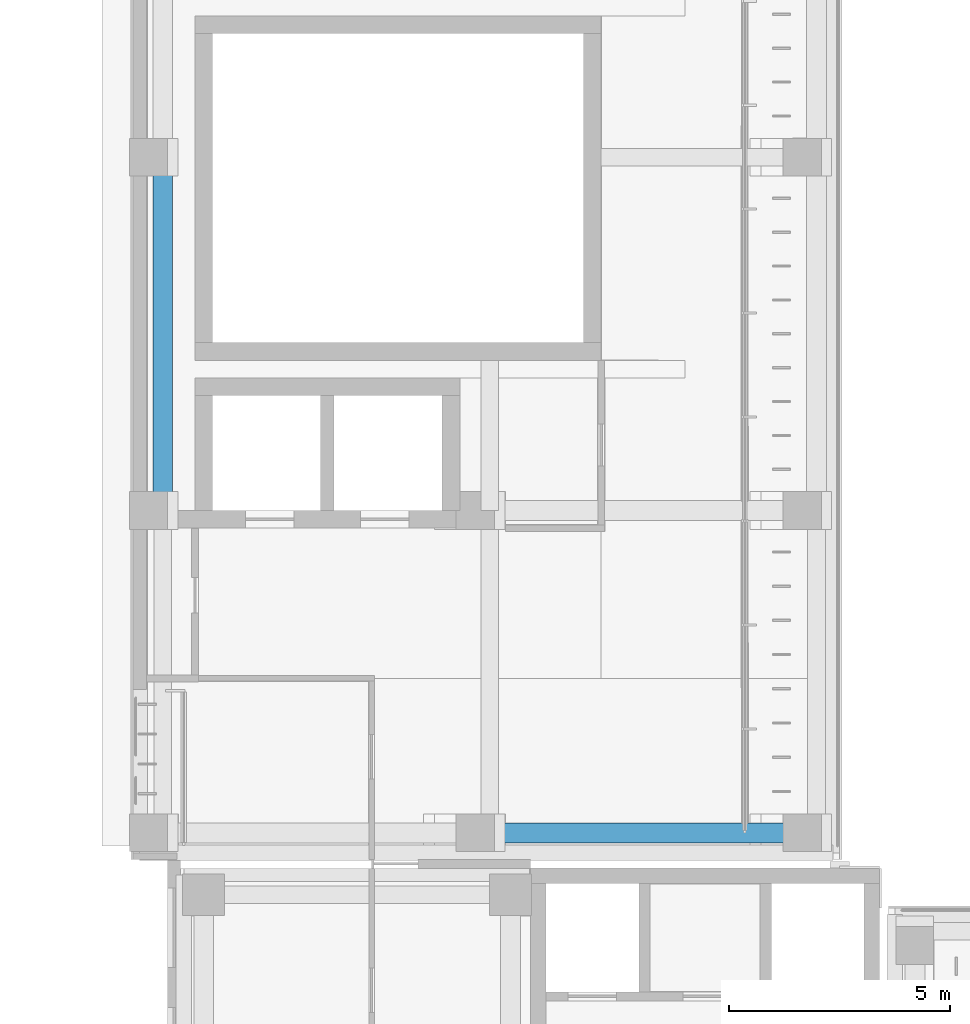
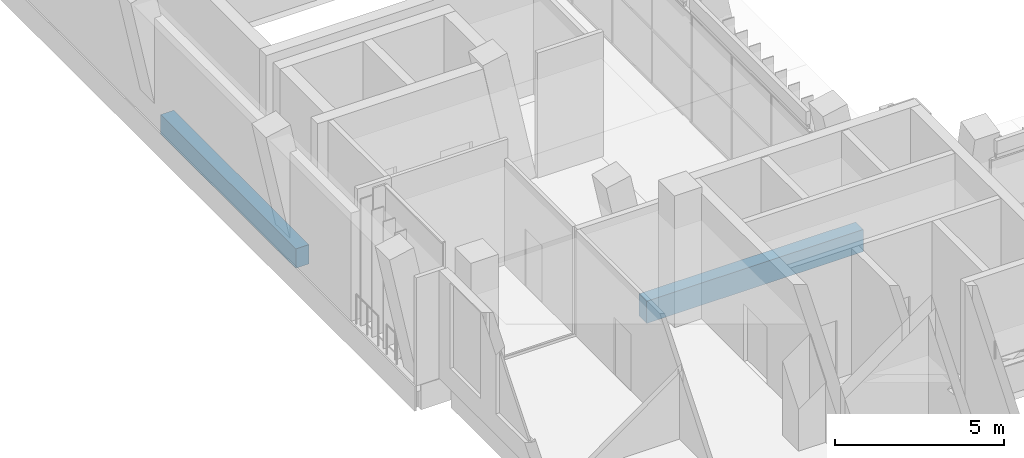
# One storey, part 20 of 92: 2 beams.
"""IFC4 building model written with IfcOpenShell, lengths in metres."""

from ifc_helpers import new_model, si_unit, direction, frame, origin, origin_2d, place, context, subcontext, project, spatial, rectangle, extrude, material, material_profile, profile_set, type_object, element, save


model = new_model("IFC4")

# Units and contexts
model_context = context("Model", 3, precision=1e-05, world=origin(), true_north=direction((0.0, 1.0)))
body_context = subcontext(model_context, "Body", "Model", "MODEL_VIEW")
ifc_project = project(units=[si_unit("LENGTHUNIT", "METRE"), si_unit("AREAUNIT", "SQUARE_METRE"), si_unit("VOLUMEUNIT", "CUBIC_METRE"), si_unit("PLANEANGLEUNIT", "RADIAN"), si_unit("MASSUNIT", "GRAM", prefix="KILO")], contexts=[model_context])

# Site, building, storey
site_placement = place(None, origin())
site = spatial("IfcSite", under=ifc_project, at=site_placement, CompositionType="ELEMENT")
building_placement = place(site_placement, origin())
building = spatial("IfcBuilding", under=site, at=building_placement, Name="Lantern Court Media Centre", CompositionType="ELEMENT")
storey_placement = place(building_placement, frame((0.0, 0.0, 4.800048828125)))
storey = spatial("IfcBuildingStorey", under=building, at=storey_placement, Name="L01", CompositionType="ELEMENT", Elevation=4.800048828125)

# Beams
ifc_material = material(Name="Concrete C35", Category="concrete")
ifc_material_profile_1 = material_profile(ifc_material, rectangle(XDim=0.449951171875, YDim=0.699951171875, at=origin_2d()), Name="RC 450x700")
ifc_profile_set_1 = profile_set([ifc_material_profile_1], Name="Concrete C35")
beam_type_1 = type_object("IfcBeamType", Name="RC BEAM 450x700", PredefinedType="BEAM", material=ifc_profile_set_1)
beam_1_placement = place(storey_placement, frame((7.6728515625, 72.0, -0.35009765625), z_axis=(0.0, 1.0, 0.0), x_axis=(-1.0, 0.0, 0.0)))
element("IfcBeam", 1, at=beam_1_placement, inside=storey, type_object=beam_type_1, Name="LB-W-L01-0-1", PredefinedType="BEAM", context=body_context, shape_type="SweptSolid", body=[
    extrude(rectangle(XDim=0.449951171875, YDim=0.699951171875, at=origin_2d()), origin(), (0.0, 0.0, 1.0), 8.0),
])
ifc_material_profile_2 = material_profile(ifc_material, rectangle(XDim=0.449951171875, YDim=0.800048828125, at=origin_2d()), Name="RC 450x800")
ifc_profile_set_2 = profile_set([ifc_material_profile_2], Name="Concrete C35")
beam_type_2 = type_object("IfcBeamType", Name="RC BEAM 450x800", PredefinedType="BEAM", material=ifc_profile_set_2)
beam_2_placement = place(storey_placement, frame((15.083251953125, 64.699951171875, -0.400146484375), z_axis=(1.0, 0.0, 0.0), x_axis=(0.0, 1.0, 0.0)))
element("IfcBeam", 2, at=beam_2_placement, inside=storey, type_object=beam_type_2, Name="TB-W-L01-0-2", PredefinedType="BEAM", context=body_context, shape_type="SweptSolid", body=[
    extrude(rectangle(XDim=0.449951171875, YDim=0.800048828125, at=origin_2d()), origin(), (0.0, 0.0, 1.0), 7.400146484375),
])

save(model, "model.ifc")
